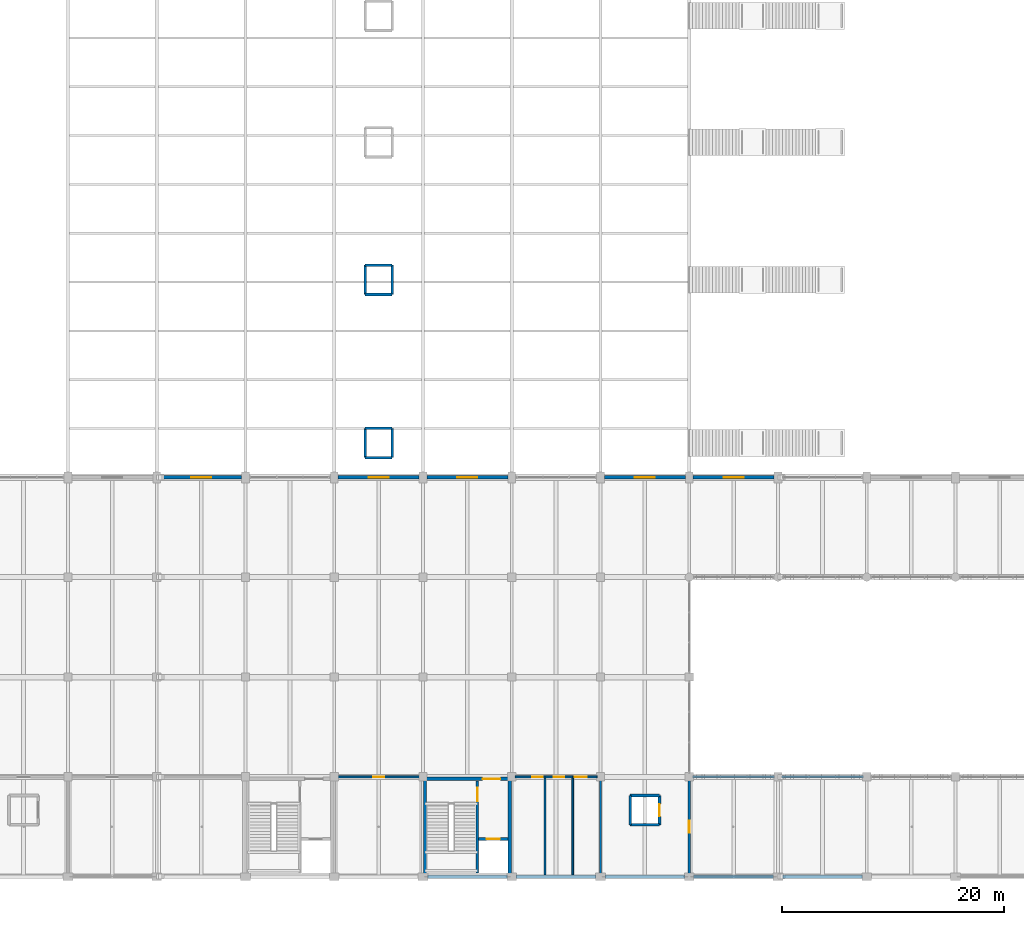
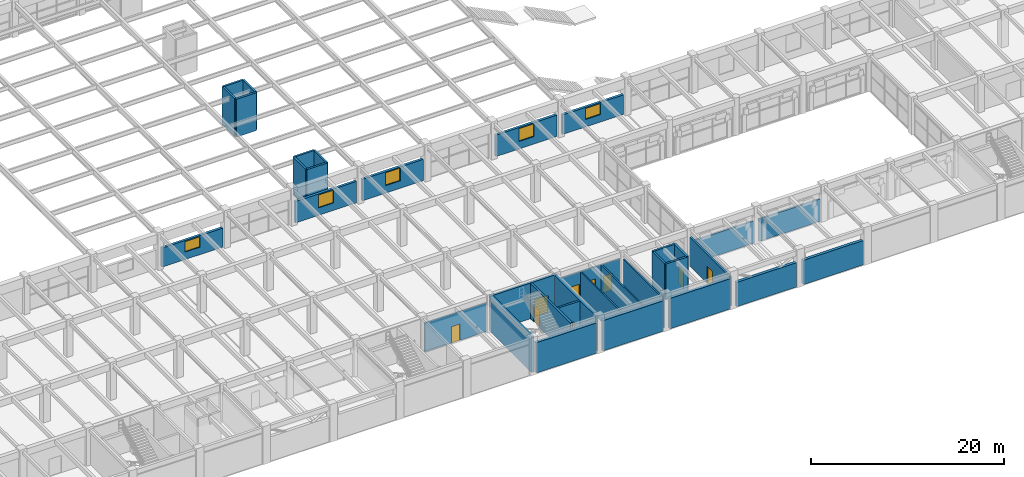
# One storey, part 107 of 144: 37 walls, 9 doors, 5 windows, 14 openings.
"""IFC4 building model written with IfcOpenShell, lengths in metres."""

from ifc_helpers import new_model, si_unit, direction, frame, frame_2d, origin, place, context, subcontext, project, spatial, rectangle, extrude, material, layer, layer_set, type_object, element, fill, save


model = new_model("IFC4")

# Units and contexts
model_context = context("Model", 3, precision=1e-05, world=origin(), true_north=direction((0.0, 1.0)))
body_context = subcontext(model_context, "Body", "Model", "MODEL_VIEW")
ifc_project = project(units=[si_unit("LENGTHUNIT", "METRE"), si_unit("AREAUNIT", "SQUARE_METRE"), si_unit("VOLUMEUNIT", "CUBIC_METRE"), si_unit("PLANEANGLEUNIT", "RADIAN"), si_unit("MASSUNIT", "GRAM", prefix="KILO")], contexts=[model_context])

# Site, building, storey
site_placement = place(None, origin())
site = spatial("IfcSite", under=ifc_project, at=site_placement, CompositionType="ELEMENT")
building_placement = place(site_placement, origin())
building = spatial("IfcBuilding", under=site, at=building_placement, Name="Varnabhumi Central Station", CompositionType="ELEMENT")
storey_placement = place(building_placement, frame((0.0, 0.0, 4.800048828125)))
storey = spatial("IfcBuildingStorey", under=building, at=storey_placement, Name="L01", CompositionType="ELEMENT", Elevation=4.800048828125)

# Walls
ifc_material_1 = material(Name="Autoclaved aerated blockwork masonry", Category="masonry")
ifc_layer_1 = layer(ifc_material_1, 0.219970703125, Name="Autoclaved aerated blockwork masonry", Category="masonry")
ifc_layer_set_1 = layer_set([ifc_layer_1], Name="Autoclaved aerated blockwork masonry")
wall_type_1 = type_object("IfcWallType", Name="WAL-COMP-AAC-220", PredefinedType="SOLIDWALL", material=ifc_layer_set_1)
for number, where, z_axis, x_axis, name in (
    (1, (112.300048828125, 9.0, 0.0), (0.0, 0.0, 1.0), (1.0, 0.0, 0.0), "Lost Property and Station Archive Store Corridor Partition 1"),
    (2, (120.300048828125, 9.0, 0.0), (0.0, 0.0, 1.0), (1.0, 0.0, 0.0), "Lost Property and Station Archive Store Corridor Partition 2"),
):
    element("IfcWall", number, at=place(storey_placement, frame(where, z_axis=z_axis, x_axis=x_axis)), inside=storey, type_object=wall_type_1, Name=name, PredefinedType="SOLIDWALL", context=body_context, shape_type="SweptSolid", body=[
        extrude(rectangle(XDim=7.39990234375, YDim=0.219970703125, at=frame_2d((3.699951171875, 0.0))), origin(), (0.0, 0.0, 1.0), 2.829833984375),
    ])

# Wall, opening, door
wall_1_placement = place(storey_placement, frame((112.0, 0.300048828125, 0.0), z_axis=(0.0, 0.0, 1.0), x_axis=(0.0, 1.0, 0.0)))
wall_1 = element("IfcWall", 3, at=wall_1_placement, inside=storey, type_object=wall_type_1, Name="Lost Property and Station Archive Store E Partition 1", PredefinedType="SOLIDWALL", context=body_context, shape_type="SweptSolid", body=[
    extrude(rectangle(XDim=8.39990234375, YDim=0.219970703125, at=frame_2d((4.199951171875, 0.0))), origin(), (0.0, 0.0, 1.0), 3.659912109375),
])
opening_1_placement = place(wall_1_placement, frame((3.64990234375, 0.0, 0.0)))
opening_1 = element("IfcOpeningElement", 4, at=opening_1_placement, cuts=wall_1, Name="Opening FD-60", PredefinedType="OPENING", context=body_context, shape_type="SweptSolid", body=[
    extrude(rectangle(XDim=1.10009765625, YDim=2.14990234375, at=frame_2d((0.550048828125, 1.074951171875))), frame((0.0, 0.119873046875, 0.0), z_axis=(0.0, -1.0, 0.0), x_axis=(1.0, 0.0, 0.0)), (0.0, 0.0, 1.0), 0.239990234375),
])
ifc_material_2 = material(Name="Intumescent-treated hardwood timber", Category="wood")
door_type_1 = type_object("IfcDoorType", Name="DR-FIRE-60-1100", OperationType="NOTDEFINED", PredefinedType="DOOR", material=ifc_material_2)
door_1_placement = place(opening_1_placement, frame((1.10009765625, 0.0, 0.0), z_axis=(0.0, 0.0, 1.0), x_axis=(-1.0, 0.0, 0.0)))
door_1 = element("IfcDoor", 5, at=door_1_placement, inside=storey, type_object=door_type_1, Name="Lost Property and Station Archive Store Corridor Access Door", OperationType="SINGLE_SWING_LEFT", OverallHeight=2.14990234375, OverallWidth=1.10009765625, PredefinedType="DOOR", context=body_context, shape_type="SweptSolid", body=[
    extrude(rectangle(XDim=1.10009765625, YDim=2.14990234375, at=frame_2d((0.550048828125, 1.074951171875))), frame((0.0, 0.02490234375, 0.0), z_axis=(0.0, -1.0, 0.0), x_axis=(1.0, 0.0, 0.0)), (0.0, 0.0, 1.0), 0.050048828125),
])
fill(opening_1, door_1)

# Walls
ifc_material_3 = material(Name="Concrete M40", Category="concrete")
ifc_layer_2 = layer(ifc_material_3, 0.300048828125, Name="Concrete M40", Category="concrete")
ifc_layer_set_2 = layer_set([ifc_layer_2], Name="Concrete M40")
wall_type_2 = type_object("IfcWallType", Name="WAL-CORE-RC-300", PredefinedType="SHEAR", material=ifc_layer_set_2)
for number, where, z_axis, x_axis, name in (
    (6, (88.179931640625, 0.179931640625, 0.0), (0.0, 0.0, 1.0), (0.0, 1.0, 0.0), "SC2 L01 West Shear Wall"),
    (7, (95.820068359375, 0.179931640625, 0.0), (0.0, 0.0, 1.0), (0.0, 1.0, 0.0), "SC2 L01 East Shear Wall"),
):
    element("IfcWall", number, at=place(storey_placement, frame(where, z_axis=z_axis, x_axis=x_axis)), inside=storey, type_object=wall_type_2, Name=name, PredefinedType="SHEAR", context=body_context, shape_type="SweptSolid", body=[
        extrude(rectangle(XDim=8.64013671875, YDim=0.300048828125, at=frame_2d((4.320068359375, 0.0))), origin(), (0.0, 0.0, 1.0), 4.52001953125),
    ])

# Wall, opening, door
wall_2_placement = place(storey_placement, frame((88.030029296875, 8.820068359375, 0.0), z_axis=(0.0, 0.0, 1.0), x_axis=(1.0, 0.0, 0.0)))
wall_2 = element("IfcWall", 8, at=wall_2_placement, inside=storey, type_object=wall_type_2, Name="SC2 L01 Corridor Shear Wall", PredefinedType="SHEAR", context=body_context, shape_type="SweptSolid", body=[
    extrude(rectangle(XDim=7.93994140625, YDim=0.300048828125, at=frame_2d((3.969970703125, 0.0))), origin(), (0.0, 0.0, 1.0), 4.52001953125),
])
opening_2_placement = place(wall_2_placement, frame((5.35009765625, 0.0, 0.0)))
opening_2 = element("IfcOpeningElement", 9, at=opening_2_placement, cuts=wall_2, Name="Opening FD-60D", PredefinedType="OPENING", context=body_context, shape_type="SweptSolid", body=[
    extrude(rectangle(XDim=1.60009765625, YDim=2.14990234375, at=frame_2d((0.800048828125, 1.074951171875))), frame((0.0, 0.159912109375, 0.0), z_axis=(0.0, -1.0, 0.0), x_axis=(1.0, 0.0, 0.0)), (0.0, 0.0, 1.0), 0.320068359375),
])
door_type_2 = type_object("IfcDoorType", Name="DR-FIRE-60-1600", OperationType="NOTDEFINED", PredefinedType="DOOR", material=ifc_material_2)
door_2_placement = place(opening_2_placement, origin())
door_2 = element("IfcDoor", 10, at=door_2_placement, inside=storey, type_object=door_type_2, Name="SC2 L01 Lobby Fire Door", OperationType="DOUBLE_DOOR_SINGLE_SWING", OverallHeight=2.14990234375, OverallWidth=1.60009765625, PredefinedType="DOOR", context=body_context, shape_type="SweptSolid", body=[
    extrude(rectangle(XDim=1.60009765625, YDim=2.14990234375, at=frame_2d((0.800048828125, 1.074951171875))), frame((0.0, 0.02490234375, 0.0), z_axis=(0.0, -1.0, 0.0), x_axis=(1.0, 0.0, 0.0)), (0.0, 0.0, 1.0), 0.050048828125),
])
fill(opening_2, door_2)

# Wall, opening, window
ifc_layer_3 = layer(ifc_material_1, 0.300048828125, Name="Autoclaved aerated blockwork masonry", Category="masonry")
ifc_layer_set_3 = layer_set([ifc_layer_3], Name="Autoclaved aerated blockwork masonry")
wall_type_3 = type_object("IfcWallType", Name="WAL-EXT-STUCCO-300", PredefinedType="SOLIDWALL", material=ifc_layer_set_3)
wall_3_placement = place(storey_placement, frame((64.344970703125, 36.0, 0.0), z_axis=(0.0, 0.0, 1.0), x_axis=(1.0, 0.0, 0.0)))
wall_3 = element("IfcWall", 11, at=wall_3_placement, inside=storey, type_object=wall_type_3, Name="South Spine Wall L01-9", PredefinedType="SOLIDWALL", context=body_context, shape_type="SweptSolid", body=[
    extrude(rectangle(XDim=7.31005859375, YDim=0.300048828125, at=frame_2d((3.655029296875, 0.0))), origin(), (0.0, 0.0, 1.0), 2.409912109375),
])
opening_3_placement = place(wall_3_placement, frame((2.7548828125, 0.0, 0.949951171875)))
opening_3 = element("IfcOpeningElement", 12, at=opening_3_placement, cuts=wall_3, Name="Opening W-02", PredefinedType="OPENING", context=body_context, shape_type="SweptSolid", body=[
    extrude(rectangle(XDim=1.800048828125, YDim=1.320068359375, at=frame_2d((0.89990234375, 0.66015625))), frame((0.0, 0.159912109375, 0.0), z_axis=(0.0, -1.0, 0.0), x_axis=(1.0, 0.0, 0.0)), (0.0, 0.0, 1.0), 0.320068359375),
])
ifc_material_4 = material(Name="Laminated low-E double glazing", Category="glass")
window_type = type_object("IfcWindowType", Name="WIN-ARCADE-1800x2600", PartitioningType="DOUBLE_PANEL_VERTICAL", PredefinedType="WINDOW", material=ifc_material_4)
window_1_placement = place(opening_3_placement, origin())
window_1 = element("IfcWindow", 13, at=window_1_placement, inside=storey, type_object=window_type, Name="South Spine Overlook Window L01-9", OverallHeight=1.320068359375, OverallWidth=1.800048828125, PartitioningType="SINGLE_PANEL", PredefinedType="WINDOW", context=body_context, shape_type="SweptSolid", body=[
    extrude(rectangle(XDim=1.800048828125, YDim=1.320068359375, at=frame_2d((0.89990234375, 0.66015625))), frame((0.0, 0.030029296875, 0.0), z_axis=(0.0, -1.0, 0.0), x_axis=(1.0, 0.0, 0.0)), (0.0, 0.0, 1.0), 0.06005859375),
])
fill(opening_3, window_1)

wall_4_placement = place(storey_placement, frame((80.344970703125, 36.0, 0.0), z_axis=(0.0, 0.0, 1.0), x_axis=(1.0, 0.0, 0.0)))
wall_4 = element("IfcWall", 14, at=wall_4_placement, inside=storey, type_object=wall_type_3, Name="South Spine Wall L01-11", PredefinedType="SOLIDWALL", context=body_context, shape_type="SweptSolid", body=[
    extrude(rectangle(XDim=7.31005859375, YDim=0.300048828125, at=frame_2d((3.655029296875, 0.0))), origin(), (0.0, 0.0, 1.0), 2.7099609375),
])
opening_4_placement = place(wall_4_placement, frame((2.7548828125, 0.0, 0.949951171875)))
opening_4 = element("IfcOpeningElement", 15, at=opening_4_placement, cuts=wall_4, Name="Opening W-02", PredefinedType="OPENING", context=body_context, shape_type="SweptSolid", body=[
    extrude(rectangle(XDim=1.800048828125, YDim=1.6201171875, at=frame_2d((0.89990234375, 0.81005859375))), frame((0.0, 0.159912109375, 0.0), z_axis=(0.0, -1.0, 0.0), x_axis=(1.0, 0.0, 0.0)), (0.0, 0.0, 1.0), 0.320068359375),
])
window_2_placement = place(opening_4_placement, origin())
window_2 = element("IfcWindow", 16, at=window_2_placement, inside=storey, type_object=window_type, Name="South Spine Overlook Window L01-11", OverallHeight=1.6201171875, OverallWidth=1.800048828125, PartitioningType="SINGLE_PANEL", PredefinedType="WINDOW", context=body_context, shape_type="SweptSolid", body=[
    extrude(rectangle(XDim=1.800048828125, YDim=1.6201171875, at=frame_2d((0.89990234375, 0.81005859375))), frame((0.0, 0.030029296875, 0.0), z_axis=(0.0, -1.0, 0.0), x_axis=(1.0, 0.0, 0.0)), (0.0, 0.0, 1.0), 0.06005859375),
])
fill(opening_4, window_2)

wall_5_placement = place(storey_placement, frame((88.344970703125, 36.0, 0.0), z_axis=(0.0, 0.0, 1.0), x_axis=(1.0, 0.0, 0.0)))
wall_5 = element("IfcWall", 17, at=wall_5_placement, inside=storey, type_object=wall_type_3, Name="South Spine Wall L01-12", PredefinedType="SOLIDWALL", context=body_context, shape_type="SweptSolid", body=[
    extrude(rectangle(XDim=7.31005859375, YDim=0.300048828125, at=frame_2d((3.655029296875, 0.0))), origin(), (0.0, 0.0, 1.0), 2.7099609375),
])
opening_5_placement = place(wall_5_placement, frame((2.7548828125, 0.0, 0.949951171875)))
opening_5 = element("IfcOpeningElement", 18, at=opening_5_placement, cuts=wall_5, Name="Opening W-02", PredefinedType="OPENING", context=body_context, shape_type="SweptSolid", body=[
    extrude(rectangle(XDim=1.800048828125, YDim=1.6201171875, at=frame_2d((0.89990234375, 0.81005859375))), frame((0.0, 0.159912109375, 0.0), z_axis=(0.0, -1.0, 0.0), x_axis=(1.0, 0.0, 0.0)), (0.0, 0.0, 1.0), 0.320068359375),
])
window_3_placement = place(opening_5_placement, origin())
window_3 = element("IfcWindow", 19, at=window_3_placement, inside=storey, type_object=window_type, Name="South Spine Overlook Window L01-12", OverallHeight=1.6201171875, OverallWidth=1.800048828125, PartitioningType="SINGLE_PANEL", PredefinedType="WINDOW", context=body_context, shape_type="SweptSolid", body=[
    extrude(rectangle(XDim=1.800048828125, YDim=1.6201171875, at=frame_2d((0.89990234375, 0.81005859375))), frame((0.0, 0.030029296875, 0.0), z_axis=(0.0, -1.0, 0.0), x_axis=(1.0, 0.0, 0.0)), (0.0, 0.0, 1.0), 0.06005859375),
])
fill(opening_5, window_3)

wall_6_placement = place(storey_placement, frame((104.344970703125, 36.0, 0.0), z_axis=(0.0, 0.0, 1.0), x_axis=(1.0, 0.0, 0.0)))
wall_6 = element("IfcWall", 20, at=wall_6_placement, inside=storey, type_object=wall_type_3, Name="South Spine Wall L01-14", PredefinedType="SOLIDWALL", context=body_context, shape_type="SweptSolid", body=[
    extrude(rectangle(XDim=7.31005859375, YDim=0.300048828125, at=frame_2d((3.655029296875, 0.0))), origin(), (0.0, 0.0, 1.0), 2.7099609375),
])
opening_6_placement = place(wall_6_placement, frame((2.7548828125, 0.0, 0.949951171875)))
opening_6 = element("IfcOpeningElement", 21, at=opening_6_placement, cuts=wall_6, Name="Opening W-02", PredefinedType="OPENING", context=body_context, shape_type="SweptSolid", body=[
    extrude(rectangle(XDim=1.800048828125, YDim=1.6201171875, at=frame_2d((0.89990234375, 0.81005859375))), frame((0.0, 0.159912109375, 0.0), z_axis=(0.0, -1.0, 0.0), x_axis=(1.0, 0.0, 0.0)), (0.0, 0.0, 1.0), 0.320068359375),
])
window_4_placement = place(opening_6_placement, origin())
window_4 = element("IfcWindow", 22, at=window_4_placement, inside=storey, type_object=window_type, Name="South Spine Overlook Window L01-14", OverallHeight=1.6201171875, OverallWidth=1.800048828125, PartitioningType="SINGLE_PANEL", PredefinedType="WINDOW", context=body_context, shape_type="SweptSolid", body=[
    extrude(rectangle(XDim=1.800048828125, YDim=1.6201171875, at=frame_2d((0.89990234375, 0.81005859375))), frame((0.0, 0.030029296875, 0.0), z_axis=(0.0, -1.0, 0.0), x_axis=(1.0, 0.0, 0.0)), (0.0, 0.0, 1.0), 0.06005859375),
])
fill(opening_6, window_4)

wall_7_placement = place(storey_placement, frame((112.344970703125, 36.0, 0.0), z_axis=(0.0, 0.0, 1.0), x_axis=(1.0, 0.0, 0.0)))
wall_7 = element("IfcWall", 23, at=wall_7_placement, inside=storey, type_object=wall_type_3, Name="South Spine Wall L01-15", PredefinedType="SOLIDWALL", context=body_context, shape_type="SweptSolid", body=[
    extrude(rectangle(XDim=7.31005859375, YDim=0.300048828125, at=frame_2d((3.655029296875, 0.0))), origin(), (0.0, 0.0, 1.0), 2.47998046875),
])
opening_7_placement = place(wall_7_placement, frame((2.7548828125, 0.0, 0.949951171875)))
opening_7 = element("IfcOpeningElement", 24, at=opening_7_placement, cuts=wall_7, Name="Opening W-02", PredefinedType="OPENING", context=body_context, shape_type="SweptSolid", body=[
    extrude(rectangle(XDim=1.800048828125, YDim=1.389892578125, at=frame_2d((0.89990234375, 0.69482421875))), frame((0.0, 0.159912109375, 0.0), z_axis=(0.0, -1.0, 0.0), x_axis=(1.0, 0.0, 0.0)), (0.0, 0.0, 1.0), 0.320068359375),
])
window_5_placement = place(opening_7_placement, origin())
window_5 = element("IfcWindow", 25, at=window_5_placement, inside=storey, type_object=window_type, Name="South Spine Overlook Window L01-15", OverallHeight=1.389892578125, OverallWidth=1.800048828125, PartitioningType="SINGLE_PANEL", PredefinedType="WINDOW", context=body_context, shape_type="SweptSolid", body=[
    extrude(rectangle(XDim=1.800048828125, YDim=1.389892578125, at=frame_2d((0.89990234375, 0.69482421875))), frame((0.0, 0.030029296875, 0.0), z_axis=(0.0, -1.0, 0.0), x_axis=(1.0, 0.0, 0.0)), (0.0, 0.0, 1.0), 0.06005859375),
])
fill(opening_7, window_5)

# Wall, opening, door
ifc_layer_4 = layer(ifc_material_1, 0.159912109375, Name="Autoclaved aerated blockwork masonry", Category="masonry")
ifc_layer_set_4 = layer_set([ifc_layer_4], Name="Autoclaved aerated blockwork masonry")
wall_type_4 = type_object("IfcWallType", Name="WAL-PART-AAC-160", PredefinedType="PARTITIONING", material=ifc_layer_set_4)
wall_8_placement = place(storey_placement, frame((80.300048828125, 9.0, 0.0), z_axis=(0.0, 0.0, 1.0), x_axis=(1.0, 0.0, 0.0)))
wall_8 = element("IfcWall", 26, at=wall_8_placement, inside=storey, type_object=wall_type_4, Name="Parcel Logistics and Customs Office Corridor Partition 1", PredefinedType="PARTITIONING", context=body_context, shape_type="SweptSolid", body=[
    extrude(rectangle(XDim=7.39990234375, YDim=0.159912109375, at=frame_2d((3.699951171875, 0.0))), origin(), (0.0, 0.0, 1.0), 3.659912109375),
])
opening_8_placement = place(wall_8_placement, frame((3.199951171875, 0.0, 0.0)))
opening_8 = element("IfcOpeningElement", 27, at=opening_8_placement, cuts=wall_8, Name="Opening D-01", PredefinedType="OPENING", context=body_context, shape_type="SweptSolid", body=[
    extrude(rectangle(XDim=1.0, YDim=2.10009765625, at=frame_2d((0.5, 1.050048828125))), frame((0.0, 0.08984375, 0.0), z_axis=(0.0, -1.0, 0.0), x_axis=(1.0, 0.0, 0.0)), (0.0, 0.0, 1.0), 0.179931640625),
])
door_type_3 = type_object("IfcDoorType", Name="DR-ROOM-1000", OperationType="NOTDEFINED", PredefinedType="DOOR", material=ifc_material_2)
door_3_placement = place(opening_8_placement, origin())
door_3 = element("IfcDoor", 28, at=door_3_placement, inside=storey, type_object=door_type_3, Name="Parcel Logistics and Customs Office Door 1", OperationType="SINGLE_SWING_RIGHT", OverallHeight=2.10009765625, OverallWidth=1.0, PredefinedType="DOOR", context=body_context, shape_type="SweptSolid", body=[
    extrude(rectangle(XDim=1.0, YDim=2.10009765625, at=frame_2d((0.5, 1.050048828125))), frame((0.0, 0.02490234375, 0.0), z_axis=(0.0, -1.0, 0.0), x_axis=(1.0, 0.0, 0.0)), (0.0, 0.0, 1.0), 0.050048828125),
])
fill(opening_8, door_3)

wall_9_placement = place(storey_placement, frame((96.300048828125, 9.0, 0.0), z_axis=(0.0, 0.0, 1.0), x_axis=(1.0, 0.0, 0.0)))
wall_9 = element("IfcWall", 29, at=wall_9_placement, inside=storey, type_object=wall_type_4, Name="Public Male WC L01 South Corridor Partition 1", PredefinedType="PARTITIONING", context=body_context, shape_type="SweptSolid", body=[
    extrude(rectangle(XDim=2.699951171875, YDim=0.159912109375, at=frame_2d((1.35009765625, 0.0))), origin(), (0.0, 0.0, 1.0), 3.659912109375),
])
opening_9_placement = place(wall_9_placement, frame((1.550048828125, 0.0, 0.0)))
opening_9 = element("IfcOpeningElement", 30, at=opening_9_placement, cuts=wall_9, Name="Opening D-04", PredefinedType="OPENING", context=body_context, shape_type="SweptSolid", body=[
    extrude(rectangle(XDim=0.949951171875, YDim=2.10009765625, at=frame_2d((0.47509765625, 1.050048828125))), frame((0.0, 0.08984375, 0.0), z_axis=(0.0, -1.0, 0.0), x_axis=(1.0, 0.0, 0.0)), (0.0, 0.0, 1.0), 0.179931640625),
])
door_type_4 = type_object("IfcDoorType", Name="DR-WC-950", OperationType="NOTDEFINED", PredefinedType="DOOR", material=ifc_material_2)
door_4_placement = place(opening_9_placement, origin())
door_4 = element("IfcDoor", 31, at=door_4_placement, inside=storey, type_object=door_type_4, Name="Public Male WC L01 South Door 1", OperationType="SINGLE_SWING_RIGHT", OverallHeight=2.10009765625, OverallWidth=0.949951171875, PredefinedType="DOOR", context=body_context, shape_type="SweptSolid", body=[
    extrude(rectangle(XDim=0.949951171875, YDim=2.10009765625, at=frame_2d((0.47509765625, 1.050048828125))), frame((0.0, 0.02490234375, 0.0), z_axis=(0.0, -1.0, 0.0), x_axis=(1.0, 0.0, 0.0)), (0.0, 0.0, 1.0), 0.050048828125),
])
fill(opening_9, door_4)

# Wall
wall_10_placement = place(storey_placement, frame((99.0, 0.159912109375, 0.0), z_axis=(0.0, 0.0, 1.0), x_axis=(0.0, 1.0, 0.0)))
element("IfcWall", 32, at=wall_10_placement, inside=storey, type_object=wall_type_4, Name="Public Male WC L01 South W Partition 1", PredefinedType="PARTITIONING", context=body_context, shape_type="SweptSolid", body=[
    extrude(rectangle(XDim=8.760009765625, YDim=0.159912109375, at=frame_2d((4.3798828125, 0.0))), origin(), (0.0, 0.0, 1.0), 3.659912109375),
])

# Wall, opening, door
wall_11_placement = place(storey_placement, frame((99.0, 9.0, 0.0), z_axis=(0.0, 0.0, 1.0), x_axis=(1.0, 0.0, 0.0)))
wall_11 = element("IfcWall", 33, at=wall_11_placement, inside=storey, type_object=wall_type_4, Name="Public Female WC L01 South Corridor Partition 1", PredefinedType="PARTITIONING", context=body_context, shape_type="SweptSolid", body=[
    extrude(rectangle(XDim=2.5, YDim=0.159912109375, at=frame_2d((1.25, 0.0))), origin(), (0.0, 0.0, 1.0), 3.659912109375),
])
opening_10_placement = place(wall_11_placement, frame((0.77490234375, 0.0, 0.0)))
opening_10 = element("IfcOpeningElement", 34, at=opening_10_placement, cuts=wall_11, Name="Opening D-04", PredefinedType="OPENING", context=body_context, shape_type="SweptSolid", body=[
    extrude(rectangle(XDim=0.949951171875, YDim=2.10009765625, at=frame_2d((0.47509765625, 1.050048828125))), frame((0.0, 0.08984375, 0.0), z_axis=(0.0, -1.0, 0.0), x_axis=(1.0, 0.0, 0.0)), (0.0, 0.0, 1.0), 0.179931640625),
])
door_5_placement = place(opening_10_placement, origin())
door_5 = element("IfcDoor", 35, at=door_5_placement, inside=storey, type_object=door_type_4, Name="Public Female WC L01 South Door 1", OperationType="SINGLE_SWING_LEFT", OverallHeight=2.10009765625, OverallWidth=0.949951171875, PredefinedType="DOOR", context=body_context, shape_type="SweptSolid", body=[
    extrude(rectangle(XDim=0.949951171875, YDim=2.10009765625, at=frame_2d((0.47509765625, 1.050048828125))), frame((0.0, 0.02490234375, 0.0), z_axis=(0.0, -1.0, 0.0), x_axis=(1.0, 0.0, 0.0)), (0.0, 0.0, 1.0), 0.050048828125),
])
fill(opening_10, door_5)

# Wall
wall_12_placement = place(storey_placement, frame((101.5, 0.159912109375, 0.0), z_axis=(0.0, 0.0, 1.0), x_axis=(0.0, 1.0, 0.0)))
element("IfcWall", 36, at=wall_12_placement, inside=storey, type_object=wall_type_4, Name="Public Female WC L01 South W Partition 1", PredefinedType="PARTITIONING", context=body_context, shape_type="SweptSolid", body=[
    extrude(rectangle(XDim=8.760009765625, YDim=0.159912109375, at=frame_2d((4.3798828125, 0.0))), origin(), (0.0, 0.0, 1.0), 3.659912109375),
])

# Wall, opening, door
wall_13_placement = place(storey_placement, frame((101.5, 9.0, 0.0), z_axis=(0.0, 0.0, 1.0), x_axis=(1.0, 0.0, 0.0)))
wall_13 = element("IfcWall", 37, at=wall_13_placement, inside=storey, type_object=wall_type_4, Name="Accessible WC L01 South Corridor Partition 1", PredefinedType="PARTITIONING", context=body_context, shape_type="SweptSolid", body=[
    extrude(rectangle(XDim=2.199951171875, YDim=0.159912109375, at=frame_2d((1.10009765625, 0.0))), origin(), (0.0, 0.0, 1.0), 3.659912109375),
])
opening_11_placement = place(wall_13_placement, frame((0.199951171875, 0.0, 0.0)))
opening_11 = element("IfcOpeningElement", 38, at=opening_11_placement, cuts=wall_13, Name="Opening D-05", PredefinedType="OPENING", context=body_context, shape_type="SweptSolid", body=[
    extrude(rectangle(XDim=1.050048828125, YDim=2.10009765625, at=frame_2d((0.52490234375, 1.050048828125))), frame((0.0, 0.08984375, 0.0), z_axis=(0.0, -1.0, 0.0), x_axis=(1.0, 0.0, 0.0)), (0.0, 0.0, 1.0), 0.179931640625),
])
door_type_5 = type_object("IfcDoorType", Name="DR-ACC-WC-1050", OperationType="NOTDEFINED", PredefinedType="DOOR", material=ifc_material_2)
door_6_placement = place(opening_11_placement, origin())
door_6 = element("IfcDoor", 39, at=door_6_placement, inside=storey, type_object=door_type_5, Name="Accessible WC L01 South Door 1", OperationType="SINGLE_SWING_RIGHT", OverallHeight=2.10009765625, OverallWidth=1.050048828125, PredefinedType="DOOR", context=body_context, shape_type="SweptSolid", body=[
    extrude(rectangle(XDim=1.050048828125, YDim=2.10009765625, at=frame_2d((0.52490234375, 1.050048828125))), frame((0.0, 0.02490234375, 0.0), z_axis=(0.0, -1.0, 0.0), x_axis=(1.0, 0.0, 0.0)), (0.0, 0.0, 1.0), 0.050048828125),
])
fill(opening_11, door_6)

# Wall
wall_14_placement = place(storey_placement, frame((104.0, 0.300048828125, 0.0), z_axis=(0.0, 0.0, 1.0), x_axis=(0.0, 1.0, 0.0)))
element("IfcWall", 40, at=wall_14_placement, inside=storey, type_object=wall_type_4, Name="Accessible WC L01 South W Partition 1", PredefinedType="PARTITIONING", context=body_context, shape_type="SweptSolid", body=[
    extrude(rectangle(XDim=8.39990234375, YDim=0.159912109375, at=frame_2d((4.199951171875, 0.0))), origin(), (0.0, 0.0, 1.0), 3.659912109375),
])

# Wall, opening, door
ifc_layer_5 = layer(ifc_material_3, 0.239990234375, Name="Concrete M40", Category="concrete")
ifc_layer_set_5 = layer_set([ifc_layer_5], Name="Concrete M40")
wall_type_5 = type_object("IfcWallType", Name="WAL-SHAFT-RC-240", PredefinedType="SHEAR", material=ifc_layer_set_5)
wall_15_placement = place(storey_placement, frame((92.89990234375, 0.35009765625, 0.0), z_axis=(0.0, 0.0, 1.0), x_axis=(0.0, 1.0, 0.0)))
wall_15 = element("IfcWall", 41, at=wall_15_placement, inside=storey, type_object=wall_type_5, Name="SC2 L01 Stair-Lobby Divider Wall", PredefinedType="SHEAR", context=body_context, shape_type="SweptSolid", body=[
    extrude(rectangle(XDim=8.2998046875, YDim=0.239990234375, at=frame_2d((4.14990234375, 0.0))), origin(), (0.0, 0.0, 1.0), 4.52001953125),
])
opening_12_placement = place(wall_15_placement, frame((6.449951171875, 0.0, 0.0)))
opening_12 = element("IfcOpeningElement", 42, at=opening_12_placement, cuts=wall_15, Name="Opening FD-120", PredefinedType="OPENING", context=body_context, shape_type="SweptSolid", body=[
    extrude(rectangle(XDim=1.199951171875, YDim=2.14990234375, at=frame_2d((0.60009765625, 1.074951171875))), frame((0.0, 0.1298828125, 0.0), z_axis=(0.0, -1.0, 0.0), x_axis=(1.0, 0.0, 0.0)), (0.0, 0.0, 1.0), 0.260009765625),
])
ifc_material_5 = material(Name="Stainless steel Grade 316", Category="steel")
door_type_6 = type_object("IfcDoorType", Name="DR-FIRE-120-1200", OperationType="NOTDEFINED", PredefinedType="DOOR", material=ifc_material_5)
door_7_placement = place(opening_12_placement, origin())
door_7 = element("IfcDoor", 43, at=door_7_placement, inside=storey, type_object=door_type_6, Name="ST-S2 L01 Fire Door", OperationType="SINGLE_SWING_RIGHT", OverallHeight=2.14990234375, OverallWidth=1.199951171875, PredefinedType="DOOR", context=body_context, shape_type="SweptSolid", body=[
    extrude(rectangle(XDim=1.199951171875, YDim=2.14990234375, at=frame_2d((0.60009765625, 1.074951171875))), frame((0.0, 0.02490234375, 0.0), z_axis=(0.0, -1.0, 0.0), x_axis=(1.0, 0.0, 0.0)), (0.0, 0.0, 1.0), 0.050048828125),
])
fill(opening_12, door_7)

wall_16_placement = place(storey_placement, frame((93.02001953125, 3.39990234375, 0.0), z_axis=(0.0, 0.0, 1.0), x_axis=(1.0, 0.0, 0.0)))
wall_16 = element("IfcWall", 44, at=wall_16_placement, inside=storey, type_object=wall_type_5, Name="FL-2 L01 Lift Shaft Front Wall", PredefinedType="SHEAR", context=body_context, shape_type="SweptSolid", body=[
    extrude(rectangle(XDim=2.6298828125, YDim=0.239990234375, at=frame_2d((1.31494140625, 0.0))), origin(), (0.0, 0.0, 1.0), 4.52001953125),
])
opening_13_placement = place(wall_16_placement, frame((0.715087890625, 0.0, 0.0)))
opening_13 = element("IfcOpeningElement", 45, at=opening_13_placement, cuts=wall_16, Name="Opening LD-FL-2", PredefinedType="OPENING", context=body_context, shape_type="SweptSolid", body=[
    extrude(rectangle(XDim=1.199951171875, YDim=2.14990234375, at=frame_2d((0.60009765625, 1.074951171875))), frame((0.0, 0.1298828125, 0.0), z_axis=(0.0, -1.0, 0.0), x_axis=(1.0, 0.0, 0.0)), (0.0, 0.0, 1.0), 0.260009765625),
])
door_type_7 = type_object("IfcDoorType", Name="DR-LIFT-FIRE-1200", OperationType="NOTDEFINED", PredefinedType="DOOR", material=ifc_material_5)
door_8_placement = place(opening_13_placement, origin())
door_8 = element("IfcDoor", 46, at=door_8_placement, inside=storey, type_object=door_type_7, Name="Lift Landing Door FL-2 L01", OperationType="DOUBLE_DOOR_SLIDING", OverallHeight=2.14990234375, OverallWidth=1.199951171875, PredefinedType="DOOR", context=body_context, shape_type="SweptSolid", body=[
    extrude(rectangle(XDim=1.199951171875, YDim=2.14990234375, at=frame_2d((0.60009765625, 1.074951171875))), frame((0.0, 0.02490234375, 0.0), z_axis=(0.0, -1.0, 0.0), x_axis=(1.0, 0.0, 0.0)), (0.0, 0.0, 1.0), 0.050048828125),
])
fill(opening_13, door_8)

# Walls
wall_17_placement = place(storey_placement, frame((82.780029296875, 37.780029296875, 0.0), z_axis=(0.0, 0.0, 1.0), x_axis=(0.0, 1.0, 0.0)))
element("IfcWall", 47, at=wall_17_placement, inside=storey, type_object=wall_type_5, Name="PL-1 L01 Shaft West Wall", PredefinedType="SHEAR", context=body_context, shape_type="SweptSolid", body=[
    extrude(rectangle(XDim=2.639892578125, YDim=0.239990234375, at=frame_2d((1.31982421875, 0.0))), origin(), (0.0, 0.0, 1.0), 4.800048828125),
])
for number, where, z_axis, x_axis, name in (
    (48, (82.780029296875, 37.780029296875, 0.0), (0.0, 0.0, 1.0), (1.0, 0.0, 0.0), "PL-1 L01 Shaft South Wall"),
    (49, (82.780029296875, 40.419921875, 0.0), (0.0, 0.0, 1.0), (1.0, 0.0, 0.0), "PL-1 L01 Shaft North Wall"),
):
    element("IfcWall", number, at=place(storey_placement, frame(where, z_axis=z_axis, x_axis=x_axis)), inside=storey, type_object=wall_type_5, Name=name, PredefinedType="SHEAR", context=body_context, shape_type="SweptSolid", body=[
        extrude(rectangle(XDim=2.43994140625, YDim=0.239990234375, at=frame_2d((1.219970703125, 0.0))), origin(), (0.0, 0.0, 1.0), 4.800048828125),
    ])
wall_18_placement = place(storey_placement, frame((85.219970703125, 37.780029296875, 0.0), z_axis=(0.0, 0.0, 1.0), x_axis=(0.0, 1.0, 0.0)))
element("IfcWall", 50, at=wall_18_placement, inside=storey, type_object=wall_type_5, Name="PL-1 L01 Shaft Front Wall", PredefinedType="SHEAR", context=body_context, shape_type="SweptSolid", body=[
    extrude(rectangle(XDim=2.639892578125, YDim=0.239990234375, at=frame_2d((1.31982421875, 0.0))), origin(), (0.0, 0.0, 1.0), 4.800048828125),
])
wall_19_placement = place(storey_placement, frame((82.780029296875, 52.47998046875, 0.0), z_axis=(0.0, 0.0, 1.0), x_axis=(0.0, 1.0, 0.0)))
element("IfcWall", 51, at=wall_19_placement, inside=storey, type_object=wall_type_5, Name="PL-2 L01 Shaft West Wall", PredefinedType="SHEAR", context=body_context, shape_type="SweptSolid", body=[
    extrude(rectangle(XDim=2.64013671875, YDim=0.239990234375, at=frame_2d((1.320068359375, 0.0))), origin(), (0.0, 0.0, 1.0), 4.800048828125),
])
for number, where, z_axis, x_axis, name in (
    (52, (82.780029296875, 52.47998046875, 0.0), (0.0, 0.0, 1.0), (1.0, 0.0, 0.0), "PL-2 L01 Shaft South Wall"),
    (53, (82.780029296875, 55.1201171875, 0.0), (0.0, 0.0, 1.0), (1.0, 0.0, 0.0), "PL-2 L01 Shaft North Wall"),
):
    element("IfcWall", number, at=place(storey_placement, frame(where, z_axis=z_axis, x_axis=x_axis)), inside=storey, type_object=wall_type_5, Name=name, PredefinedType="SHEAR", context=body_context, shape_type="SweptSolid", body=[
        extrude(rectangle(XDim=2.43994140625, YDim=0.239990234375, at=frame_2d((1.219970703125, 0.0))), origin(), (0.0, 0.0, 1.0), 4.800048828125),
    ])
wall_20_placement = place(storey_placement, frame((85.219970703125, 52.47998046875, 0.0), z_axis=(0.0, 0.0, 1.0), x_axis=(0.0, 1.0, 0.0)))
element("IfcWall", 54, at=wall_20_placement, inside=storey, type_object=wall_type_5, Name="PL-2 L01 Shaft Front Wall", PredefinedType="SHEAR", context=body_context, shape_type="SweptSolid", body=[
    extrude(rectangle(XDim=2.64013671875, YDim=0.239990234375, at=frame_2d((1.320068359375, 0.0))), origin(), (0.0, 0.0, 1.0), 4.800048828125),
])
for number, where, z_axis, x_axis, name in (
    (55, (106.679931640625, 4.679931640625, 0.0), (0.0, 0.0, 1.0), (0.0, 1.0, 0.0), "PL-8 L01 Shaft West Wall"),
    (56, (106.679931640625, 4.679931640625, 0.0), (0.0, 0.0, 1.0), (1.0, 0.0, 0.0), "PL-8 L01 Shaft South Wall"),
    (57, (106.679931640625, 7.320068359375, 0.0), (0.0, 0.0, 1.0), (1.0, 0.0, 0.0), "PL-8 L01 Shaft North Wall"),
):
    element("IfcWall", number, at=place(storey_placement, frame(where, z_axis=z_axis, x_axis=x_axis)), inside=storey, type_object=wall_type_5, Name=name, PredefinedType="SHEAR", context=body_context, shape_type="SweptSolid", body=[
        extrude(rectangle(XDim=2.64013671875, YDim=0.239990234375, at=frame_2d((1.320068359375, 0.0))), origin(), (0.0, 0.0, 1.0), 4.550048828125),
    ])

# Wall, opening, door
wall_21_placement = place(storey_placement, frame((109.320068359375, 4.679931640625, 0.0), z_axis=(0.0, 0.0, 1.0), x_axis=(0.0, 1.0, 0.0)))
wall_21 = element("IfcWall", 58, at=wall_21_placement, inside=storey, type_object=wall_type_5, Name="PL-8 L01 Shaft Front Wall", PredefinedType="SHEAR", context=body_context, shape_type="SweptSolid", body=[
    extrude(rectangle(XDim=2.64013671875, YDim=0.239990234375, at=frame_2d((1.320068359375, 0.0))), origin(), (0.0, 0.0, 1.0), 4.550048828125),
])
opening_14_placement = place(wall_21_placement, frame((0.77001953125, 0.0, 0.0)))
opening_14 = element("IfcOpeningElement", 59, at=opening_14_placement, cuts=wall_21, Name="Opening LD-PL-8", PredefinedType="OPENING", context=body_context, shape_type="SweptSolid", body=[
    extrude(rectangle(XDim=1.10009765625, YDim=2.14990234375, at=frame_2d((0.550048828125, 1.074951171875))), frame((0.0, 0.1298828125, 0.0), z_axis=(0.0, -1.0, 0.0), x_axis=(1.0, 0.0, 0.0)), (0.0, 0.0, 1.0), 0.260009765625),
])
door_type_8 = type_object("IfcDoorType", Name="DR-LIFT-PASS-1100", OperationType="NOTDEFINED", PredefinedType="DOOR", material=ifc_material_5)
door_9_placement = place(opening_14_placement, origin())
door_9 = element("IfcDoor", 60, at=door_9_placement, inside=storey, type_object=door_type_8, Name="Lift Landing Door PL-8 L01", OperationType="DOUBLE_DOOR_SLIDING", OverallHeight=2.14990234375, OverallWidth=1.10009765625, PredefinedType="DOOR", context=body_context, shape_type="SweptSolid", body=[
    extrude(rectangle(XDim=1.10009765625, YDim=2.14990234375, at=frame_2d((0.550048828125, 1.074951171875))), frame((0.0, 0.02490234375, 0.0), z_axis=(0.0, -1.0, 0.0), x_axis=(1.0, 0.0, 0.0)), (0.0, 0.0, 1.0), 0.050048828125),
])
fill(opening_14, door_9)

# Walls
ifc_layer_6 = layer(ifc_material_3, 0.340087890625, Name="Concrete M40", Category="concrete")
ifc_layer_set_6 = layer_set([ifc_layer_6], Name="Concrete M40")
wall_type_6 = type_object("IfcWallType", Name="WAL-SOUTH-FIRE-340", PredefinedType="SOLIDWALL", material=ifc_layer_set_6)
for number, where, z_axis, x_axis, name in (
    (61, (88.39990234375, 0.0, 0.0), (0.0, 0.0, 1.0), (1.0, 0.0, 0.0), "South Infill Boundary Fire Wall L01-12"),
    (62, (96.39990234375, 0.0, 0.0), (0.0, 0.0, 1.0), (1.0, 0.0, 0.0), "South Infill Boundary Fire Wall L01-13"),
    (63, (104.39990234375, 0.0, 0.0), (0.0, 0.0, 1.0), (1.0, 0.0, 0.0), "South Infill Boundary Fire Wall L01-14"),
):
    element("IfcWall", number, at=place(storey_placement, frame(where, z_axis=z_axis, x_axis=x_axis)), inside=storey, type_object=wall_type_6, Name=name, PredefinedType="SOLIDWALL", context=body_context, shape_type="SweptSolid", body=[
        extrude(rectangle(XDim=7.2001953125, YDim=0.340087890625, at=frame_2d((3.60009765625, 0.0))), origin(), (0.0, 0.0, 1.0), 3.83984375),
    ])
for number, where, z_axis, x_axis, name in (
    (64, (112.39990234375, 0.0, 0.0), (0.0, 0.0, 1.0), (1.0, 0.0, 0.0), "South Infill Boundary Fire Wall L01-15"),
    (65, (120.39990234375, 0.0, 0.0), (0.0, 0.0, 1.0), (1.0, 0.0, 0.0), "South Infill Boundary Fire Wall L01-16"),
):
    element("IfcWall", number, at=place(storey_placement, frame(where, z_axis=z_axis, x_axis=x_axis)), inside=storey, type_object=wall_type_6, Name=name, PredefinedType="SOLIDWALL", context=body_context, shape_type="SweptSolid", body=[
        extrude(rectangle(XDim=7.2001953125, YDim=0.340087890625, at=frame_2d((3.60009765625, 0.0))), origin(), (0.0, 0.0, 1.0), 3.079833984375),
    ])

save(model, "model.ifc")
